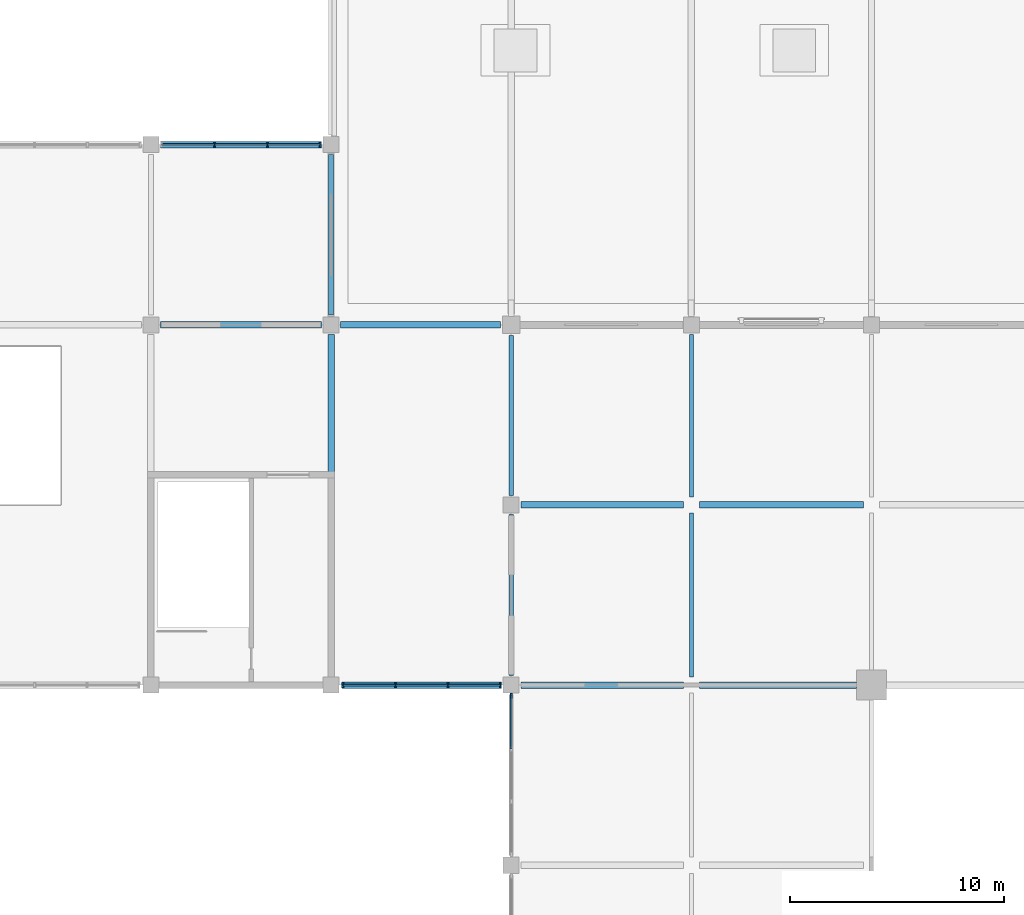
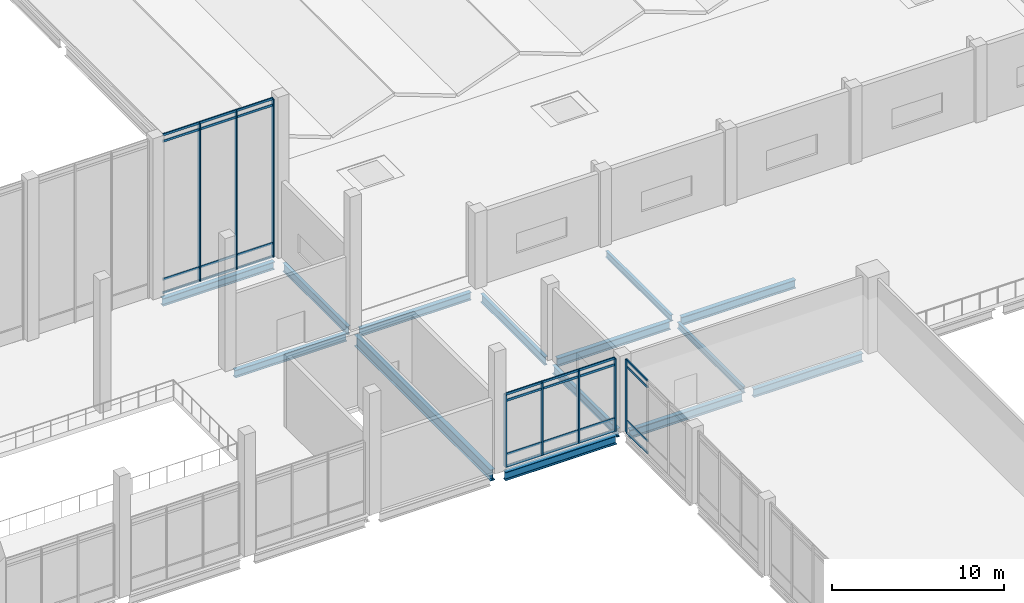
# One storey, part 30 of 72: 36 members, 14 beams, 3 elements without a shape of their own.
"""IFC4 building model written with IfcOpenShell, lengths in metres."""

from ifc_helpers import new_model, si_unit, direction, frame, origin, origin_2d, place, context, subcontext, project, spatial, rectangle, i_section, extrude, material, layer, layer_set, material_profile, profile_set, type_object, element, aggregate, save


model = new_model("IFC4")

# Units and contexts
model_context = context("Model", 3, precision=1e-05, world=origin(), true_north=direction((0.0, 1.0)))
body_context = subcontext(model_context, "Body", "Model", "MODEL_VIEW")
ifc_project = project(units=[si_unit("LENGTHUNIT", "METRE"), si_unit("AREAUNIT", "SQUARE_METRE"), si_unit("VOLUMEUNIT", "CUBIC_METRE"), si_unit("PLANEANGLEUNIT", "RADIAN"), si_unit("MASSUNIT", "GRAM", prefix="KILO")], contexts=[model_context])

# Site, building, storey
site_placement = place(None, origin())
site = spatial("IfcSite", under=ifc_project, at=site_placement, CompositionType="ELEMENT")
building_placement = place(site_placement, origin())
building = spatial("IfcBuilding", under=site, at=building_placement, Name="Qawsi Khor Wholesale Market", CompositionType="ELEMENT")
storey_placement = place(building_placement, frame((0.0, 0.0, 6.0)))
storey = spatial("IfcBuildingStorey", under=building, at=storey_placement, Name="L01", CompositionType="ELEMENT", Elevation=6.0)

# Curtain wall, member
ifc_material_1 = material(Name="Aluminium Anodised Bronze", Category="aluminium")
ifc_layer_1 = layer(ifc_material_1, 0.199951171875, Name="Aluminium Anodised Bronze")
ifc_layer_set_1 = layer_set([ifc_layer_1], Name="Aluminium Anodised Bronze")
curtain_wall_type_1 = type_object("IfcCurtainWallType", Name="Trading Hall North-Light Curtain Wall CW-03", PredefinedType="NOTDEFINED", material=ifc_layer_set_1)
curtain_wall_1_placement = place(storey_placement, origin())
curtain_wall_1 = element("IfcCurtainWall", 1, at=curtain_wall_1_placement, inside=storey, type_object=curtain_wall_type_1, Name="Curtain wall CW-CW-03-L01-096", PredefinedType="NOTDEFINED")
ifc_material_profile_1 = material_profile(ifc_material_1, rectangle(XDim=0.074951171875, YDim=0.219970703125, at=origin_2d()), Name="ALU MULLION 75x220")
ifc_profile_set_1 = profile_set([ifc_material_profile_1], Name="Aluminium Anodised Bronze")
member_type_1 = type_object("IfcMemberType", Name="Curtain Wall Mullion CW-03 ALU MULLION 75x220", PredefinedType="MULLION", material=ifc_profile_set_1)
member_1_placement = place(storey_placement, frame((142.800048828125, 91.902587890625, -0.02001953125), z_axis=(0.0, 0.0, 1.0), x_axis=(1.0, 0.0, 0.0)))
member_1 = element("IfcMember", 2, at=member_1_placement, type_object=member_type_1, Name="Mullion CW-CW-03-L01-096-M03", PredefinedType="MULLION", context=body_context, shape_type="SweptSolid", body=[
    extrude(rectangle(XDim=0.074951171875, YDim=0.219970703125, at=origin_2d()), origin(), (0.0, 0.0, 1.0), 5.14990234375),
])

# Curtain wall, members
ifc_layer_2 = layer(ifc_material_1, 0.219970703125, Name="Aluminium Anodised Bronze")
ifc_layer_set_2 = layer_set([ifc_layer_2], Name="Aluminium Anodised Bronze")
curtain_wall_type_2 = type_object("IfcCurtainWallType", Name="Auction Clerestory Curtain Wall CW-04", PredefinedType="NOTDEFINED", material=ifc_layer_set_2)
curtain_wall_2_placement = place(storey_placement, origin())
curtain_wall_2 = element("IfcCurtainWall", 3, at=curtain_wall_2_placement, inside=storey, type_object=curtain_wall_type_2, Name="Curtain wall CW-CW-04-L01-114", PredefinedType="NOTDEFINED")
ifc_material_profile_2 = material_profile(ifc_material_1, rectangle(XDim=0.080078125, YDim=0.239990234375, at=origin_2d()), Name="ALU MULLION 80x240")
ifc_profile_set_2 = profile_set([ifc_material_profile_2], Name="Aluminium Anodised Bronze")
member_type_2 = type_object("IfcMemberType", Name="Curtain Wall Mullion CW-04 ALU MULLION 80x240", PredefinedType="MULLION", material=ifc_profile_set_2)
member_2_placement = place(storey_placement, frame((128.966796875, 117.60009765625, -0.02001953125), z_axis=(0.0, 0.0, 1.0), x_axis=(1.0, 0.0, 0.0)))
member_2 = element("IfcMember", 4, at=member_2_placement, type_object=member_type_2, Name="Mullion CW-CW-04-L01-114-M01", PredefinedType="MULLION", context=body_context, shape_type="SweptSolid", body=[
    extrude(rectangle(XDim=0.080078125, YDim=0.239990234375, at=origin_2d()), origin(), (0.0, 0.0, 1.0), 11.219970703125),
])
member_3_placement = place(storey_placement, frame((131.433349609375, 117.60009765625, -0.02001953125), z_axis=(0.0, 0.0, 1.0), x_axis=(1.0, 0.0, 0.0)))
member_3 = element("IfcMember", 5, at=member_3_placement, type_object=member_type_2, Name="Mullion CW-CW-04-L01-114-M02", PredefinedType="MULLION", context=body_context, shape_type="SweptSolid", body=[
    extrude(rectangle(XDim=0.080078125, YDim=0.239990234375, at=origin_2d()), origin(), (0.0, 0.0, 1.0), 11.219970703125),
])
member_4_placement = place(storey_placement, frame((133.89990234375, 117.60009765625, -0.02001953125), z_axis=(0.0, 0.0, 1.0), x_axis=(1.0, 0.0, 0.0)))
member_4 = element("IfcMember", 6, at=member_4_placement, type_object=member_type_2, Name="Mullion CW-CW-04-L01-114-M03", PredefinedType="MULLION", context=body_context, shape_type="SweptSolid", body=[
    extrude(rectangle(XDim=0.080078125, YDim=0.239990234375, at=origin_2d()), origin(), (0.0, 0.0, 1.0), 11.219970703125),
])

curtain_wall_3_placement = place(storey_placement, origin())
curtain_wall_3 = element("IfcCurtainWall", 7, at=curtain_wall_3_placement, inside=storey, type_object=curtain_wall_type_2, Name="Curtain wall CW-CW-04-L01-116", PredefinedType="NOTDEFINED")
member_5_placement = place(storey_placement, frame((134.949951171875, 92.39990234375, -0.02001953125), z_axis=(0.0, 0.0, 1.0), x_axis=(1.0, 0.0, 0.0)))
member_5 = element("IfcMember", 8, at=member_5_placement, type_object=member_type_2, Name="Mullion CW-CW-04-L01-116-M00", PredefinedType="MULLION", context=body_context, shape_type="SweptSolid", body=[
    extrude(rectangle(XDim=0.080078125, YDim=0.239990234375, at=origin_2d()), origin(), (0.0, 0.0, 1.0), 5.14013671875),
])
member_6_placement = place(storey_placement, frame((137.39990234375, 92.39990234375, -0.02001953125), z_axis=(0.0, 0.0, 1.0), x_axis=(1.0, 0.0, 0.0)))
member_6 = element("IfcMember", 9, at=member_6_placement, type_object=member_type_2, Name="Mullion CW-CW-04-L01-116-M01", PredefinedType="MULLION", context=body_context, shape_type="SweptSolid", body=[
    extrude(rectangle(XDim=0.080078125, YDim=0.239990234375, at=origin_2d()), origin(), (0.0, 0.0, 1.0), 5.14013671875),
])
member_7_placement = place(storey_placement, frame((139.85009765625, 92.39990234375, -0.02001953125), z_axis=(0.0, 0.0, 1.0), x_axis=(1.0, 0.0, 0.0)))
member_7 = element("IfcMember", 10, at=member_7_placement, type_object=member_type_2, Name="Mullion CW-CW-04-L01-116-M02", PredefinedType="MULLION", context=body_context, shape_type="SweptSolid", body=[
    extrude(rectangle(XDim=0.080078125, YDim=0.239990234375, at=origin_2d()), origin(), (0.0, 0.0, 1.0), 5.14013671875),
])
member_8_placement = place(storey_placement, frame((142.300048828125, 92.39990234375, -0.02001953125), z_axis=(0.0, 0.0, 1.0), x_axis=(1.0, 0.0, 0.0)))
member_8 = element("IfcMember", 11, at=member_8_placement, type_object=member_type_2, Name="Mullion CW-CW-04-L01-116-M03", PredefinedType="MULLION", context=body_context, shape_type="SweptSolid", body=[
    extrude(rectangle(XDim=0.080078125, YDim=0.239990234375, at=origin_2d()), origin(), (0.0, 0.0, 1.0), 5.14013671875),
])

# Member
ifc_material_profile_3 = material_profile(ifc_material_1, rectangle(XDim=0.070068359375, YDim=0.14990234375, at=origin_2d()), Name="ALU TRANSOM 70x150")
ifc_profile_set_3 = profile_set([ifc_material_profile_3], Name="Aluminium Anodised Bronze")
member_type_3 = type_object("IfcMemberType", Name="Curtain Wall Transom CW-03 ALU TRANSOM 70x150", PredefinedType="USERDEFINED", material=ifc_profile_set_3)
member_9_placement = place(storey_placement, frame((142.800048828125, 89.43408203125, 0.0), z_axis=(0.0, 1.0, 0.0), x_axis=(-1.0, 0.0, 0.0)))
member_9 = element("IfcMember", 12, at=member_9_placement, type_object=member_type_3, Name="Transom CW-CW-03-L01-096-T0_02", ObjectType="TRANSOM", PredefinedType="USERDEFINED", context=body_context, shape_type="SweptSolid", body=[
    extrude(rectangle(XDim=0.070068359375, YDim=0.14990234375, at=origin_2d()), origin(), (0.0, 0.0, 1.0), 2.468505859375),
])

member_10_placement = place(storey_placement, frame((142.800048828125, 89.43408203125, 0.85009765625), z_axis=(0.0, 1.0, 0.0), x_axis=(-1.0, 0.0, 0.0)))
member_10 = element("IfcMember", 13, at=member_10_placement, type_object=member_type_3, Name="Transom CW-CW-03-L01-096-T1_02", ObjectType="TRANSOM", PredefinedType="USERDEFINED", context=body_context, shape_type="SweptSolid", body=[
    extrude(rectangle(XDim=0.070068359375, YDim=0.14990234375, at=origin_2d()), origin(), (0.0, 0.0, 1.0), 2.468505859375),
])

member_11_placement = place(storey_placement, frame((142.800048828125, 89.43408203125, 4.679931640625), z_axis=(0.0, 1.0, 0.0), x_axis=(-1.0, 0.0, 0.0)))
member_11 = element("IfcMember", 14, at=member_11_placement, type_object=member_type_3, Name="Transom CW-CW-03-L01-096-T2_02", ObjectType="TRANSOM", PredefinedType="USERDEFINED", context=body_context, shape_type="SweptSolid", body=[
    extrude(rectangle(XDim=0.070068359375, YDim=0.14990234375, at=origin_2d()), origin(), (0.0, 0.0, 1.0), 2.468505859375),
])

member_12_placement = place(storey_placement, frame((142.800048828125, 89.43408203125, 5.1298828125), z_axis=(0.0, 1.0, 0.0), x_axis=(-1.0, 0.0, 0.0)))
member_12 = element("IfcMember", 15, at=member_12_placement, type_object=member_type_3, Name="Transom CW-CW-03-L01-096-T3_02", ObjectType="TRANSOM", PredefinedType="USERDEFINED", context=body_context, shape_type="SweptSolid", body=[
    extrude(rectangle(XDim=0.070068359375, YDim=0.14990234375, at=origin_2d()), origin(), (0.0, 0.0, 1.0), 2.468505859375),
])

aggregate(curtain_wall_1, [member_1, member_9, member_10, member_11, member_12])

ifc_material_profile_4 = material_profile(ifc_material_1, rectangle(XDim=0.074951171875, YDim=0.159912109375, at=origin_2d()), Name="ALU TRANSOM 75x160")
ifc_profile_set_4 = profile_set([ifc_material_profile_4], Name="Aluminium Anodised Bronze")
member_type_4 = type_object("IfcMemberType", Name="Curtain Wall Transom CW-04 ALU TRANSOM 75x160", PredefinedType="USERDEFINED", material=ifc_profile_set_4)
member_13_placement = place(storey_placement, frame((126.5, 117.60009765625, 0.0), z_axis=(1.0, 0.0, 0.0), x_axis=(0.0, 1.0, 0.0)))
member_13 = element("IfcMember", 16, at=member_13_placement, type_object=member_type_4, Name="Transom CW-CW-04-L01-114-T0_00", ObjectType="TRANSOM", PredefinedType="USERDEFINED", context=body_context, shape_type="SweptSolid", body=[
    extrude(rectangle(XDim=0.074951171875, YDim=0.159912109375, at=origin_2d()), origin(), (0.0, 0.0, 1.0), 2.466796875),
])

member_14_placement = place(storey_placement, frame((128.966796875, 117.60009765625, 0.0), z_axis=(1.0, 0.0, 0.0), x_axis=(0.0, 1.0, 0.0)))
member_14 = element("IfcMember", 17, at=member_14_placement, type_object=member_type_4, Name="Transom CW-CW-04-L01-114-T0_01", ObjectType="TRANSOM", PredefinedType="USERDEFINED", context=body_context, shape_type="SweptSolid", body=[
    extrude(rectangle(XDim=0.074951171875, YDim=0.159912109375, at=origin_2d()), origin(), (0.0, 0.0, 1.0), 2.466552734375),
])

member_15_placement = place(storey_placement, frame((131.433349609375, 117.60009765625, 0.0), z_axis=(1.0, 0.0, 0.0), x_axis=(0.0, 1.0, 0.0)))
member_15 = element("IfcMember", 18, at=member_15_placement, type_object=member_type_4, Name="Transom CW-CW-04-L01-114-T0_02", ObjectType="TRANSOM", PredefinedType="USERDEFINED", context=body_context, shape_type="SweptSolid", body=[
    extrude(rectangle(XDim=0.074951171875, YDim=0.159912109375, at=origin_2d()), origin(), (0.0, 0.0, 1.0), 2.466552734375),
])

member_16_placement = place(storey_placement, frame((126.5, 117.60009765625, 0.949951171875), z_axis=(1.0, 0.0, 0.0), x_axis=(0.0, 1.0, 0.0)))
member_16 = element("IfcMember", 19, at=member_16_placement, type_object=member_type_4, Name="Transom CW-CW-04-L01-114-T1_00", ObjectType="TRANSOM", PredefinedType="USERDEFINED", context=body_context, shape_type="SweptSolid", body=[
    extrude(rectangle(XDim=0.074951171875, YDim=0.159912109375, at=origin_2d()), origin(), (0.0, 0.0, 1.0), 2.466796875),
])

member_17_placement = place(storey_placement, frame((128.966796875, 117.60009765625, 0.949951171875), z_axis=(1.0, 0.0, 0.0), x_axis=(0.0, 1.0, 0.0)))
member_17 = element("IfcMember", 20, at=member_17_placement, type_object=member_type_4, Name="Transom CW-CW-04-L01-114-T1_01", ObjectType="TRANSOM", PredefinedType="USERDEFINED", context=body_context, shape_type="SweptSolid", body=[
    extrude(rectangle(XDim=0.074951171875, YDim=0.159912109375, at=origin_2d()), origin(), (0.0, 0.0, 1.0), 2.466552734375),
])

member_18_placement = place(storey_placement, frame((131.433349609375, 117.60009765625, 0.949951171875), z_axis=(1.0, 0.0, 0.0), x_axis=(0.0, 1.0, 0.0)))
member_18 = element("IfcMember", 21, at=member_18_placement, type_object=member_type_4, Name="Transom CW-CW-04-L01-114-T1_02", ObjectType="TRANSOM", PredefinedType="USERDEFINED", context=body_context, shape_type="SweptSolid", body=[
    extrude(rectangle(XDim=0.074951171875, YDim=0.159912109375, at=origin_2d()), origin(), (0.0, 0.0, 1.0), 2.466552734375),
])

member_19_placement = place(storey_placement, frame((126.5, 117.60009765625, 10.75), z_axis=(1.0, 0.0, 0.0), x_axis=(0.0, 1.0, 0.0)))
member_19 = element("IfcMember", 22, at=member_19_placement, type_object=member_type_4, Name="Transom CW-CW-04-L01-114-T2_00", ObjectType="TRANSOM", PredefinedType="USERDEFINED", context=body_context, shape_type="SweptSolid", body=[
    extrude(rectangle(XDim=0.074951171875, YDim=0.159912109375, at=origin_2d()), origin(), (0.0, 0.0, 1.0), 2.466796875),
])

member_20_placement = place(storey_placement, frame((128.966796875, 117.60009765625, 10.75), z_axis=(1.0, 0.0, 0.0), x_axis=(0.0, 1.0, 0.0)))
member_20 = element("IfcMember", 23, at=member_20_placement, type_object=member_type_4, Name="Transom CW-CW-04-L01-114-T2_01", ObjectType="TRANSOM", PredefinedType="USERDEFINED", context=body_context, shape_type="SweptSolid", body=[
    extrude(rectangle(XDim=0.074951171875, YDim=0.159912109375, at=origin_2d()), origin(), (0.0, 0.0, 1.0), 2.466552734375),
])

member_21_placement = place(storey_placement, frame((131.433349609375, 117.60009765625, 10.75), z_axis=(1.0, 0.0, 0.0), x_axis=(0.0, 1.0, 0.0)))
member_21 = element("IfcMember", 24, at=member_21_placement, type_object=member_type_4, Name="Transom CW-CW-04-L01-114-T2_02", ObjectType="TRANSOM", PredefinedType="USERDEFINED", context=body_context, shape_type="SweptSolid", body=[
    extrude(rectangle(XDim=0.074951171875, YDim=0.159912109375, at=origin_2d()), origin(), (0.0, 0.0, 1.0), 2.466552734375),
])

member_22_placement = place(storey_placement, frame((126.5, 117.60009765625, 11.199951171875), z_axis=(1.0, 0.0, 0.0), x_axis=(0.0, 1.0, 0.0)))
member_22 = element("IfcMember", 25, at=member_22_placement, type_object=member_type_4, Name="Transom CW-CW-04-L01-114-T3_00", ObjectType="TRANSOM", PredefinedType="USERDEFINED", context=body_context, shape_type="SweptSolid", body=[
    extrude(rectangle(XDim=0.074951171875, YDim=0.159912109375, at=origin_2d()), origin(), (0.0, 0.0, 1.0), 2.466796875),
])

member_23_placement = place(storey_placement, frame((128.966796875, 117.60009765625, 11.199951171875), z_axis=(1.0, 0.0, 0.0), x_axis=(0.0, 1.0, 0.0)))
member_23 = element("IfcMember", 26, at=member_23_placement, type_object=member_type_4, Name="Transom CW-CW-04-L01-114-T3_01", ObjectType="TRANSOM", PredefinedType="USERDEFINED", context=body_context, shape_type="SweptSolid", body=[
    extrude(rectangle(XDim=0.074951171875, YDim=0.159912109375, at=origin_2d()), origin(), (0.0, 0.0, 1.0), 2.466552734375),
])

member_24_placement = place(storey_placement, frame((131.433349609375, 117.60009765625, 11.199951171875), z_axis=(1.0, 0.0, 0.0), x_axis=(0.0, 1.0, 0.0)))
member_24 = element("IfcMember", 27, at=member_24_placement, type_object=member_type_4, Name="Transom CW-CW-04-L01-114-T3_02", ObjectType="TRANSOM", PredefinedType="USERDEFINED", context=body_context, shape_type="SweptSolid", body=[
    extrude(rectangle(XDim=0.074951171875, YDim=0.159912109375, at=origin_2d()), origin(), (0.0, 0.0, 1.0), 2.466552734375),
])

aggregate(curtain_wall_2, [member_2, member_3, member_4, member_13, member_14, member_15, member_16, member_17, member_18, member_19, member_20, member_21, member_22, member_23, member_24])

member_25_placement = place(storey_placement, frame((134.949951171875, 92.39990234375, 0.0), z_axis=(1.0, 0.0, 0.0), x_axis=(0.0, 1.0, 0.0)))
member_25 = element("IfcMember", 28, at=member_25_placement, type_object=member_type_4, Name="Transom CW-CW-04-L01-116-T0_00", ObjectType="TRANSOM", PredefinedType="USERDEFINED", context=body_context, shape_type="SweptSolid", body=[
    extrude(rectangle(XDim=0.074951171875, YDim=0.159912109375, at=origin_2d()), origin(), (0.0, 0.0, 1.0), 2.449951171875),
])

member_26_placement = place(storey_placement, frame((137.39990234375, 92.39990234375, 0.0), z_axis=(1.0, 0.0, 0.0), x_axis=(0.0, 1.0, 0.0)))
member_26 = element("IfcMember", 29, at=member_26_placement, type_object=member_type_4, Name="Transom CW-CW-04-L01-116-T0_01", ObjectType="TRANSOM", PredefinedType="USERDEFINED", context=body_context, shape_type="SweptSolid", body=[
    extrude(rectangle(XDim=0.074951171875, YDim=0.159912109375, at=origin_2d()), origin(), (0.0, 0.0, 1.0), 2.4501953125),
])

member_27_placement = place(storey_placement, frame((139.85009765625, 92.39990234375, 0.0), z_axis=(1.0, 0.0, 0.0), x_axis=(0.0, 1.0, 0.0)))
member_27 = element("IfcMember", 30, at=member_27_placement, type_object=member_type_4, Name="Transom CW-CW-04-L01-116-T0_02", ObjectType="TRANSOM", PredefinedType="USERDEFINED", context=body_context, shape_type="SweptSolid", body=[
    extrude(rectangle(XDim=0.074951171875, YDim=0.159912109375, at=origin_2d()), origin(), (0.0, 0.0, 1.0), 2.449951171875),
])

member_28_placement = place(storey_placement, frame((134.949951171875, 92.39990234375, 0.85009765625), z_axis=(1.0, 0.0, 0.0), x_axis=(0.0, 1.0, 0.0)))
member_28 = element("IfcMember", 31, at=member_28_placement, type_object=member_type_4, Name="Transom CW-CW-04-L01-116-T1_00", ObjectType="TRANSOM", PredefinedType="USERDEFINED", context=body_context, shape_type="SweptSolid", body=[
    extrude(rectangle(XDim=0.074951171875, YDim=0.159912109375, at=origin_2d()), origin(), (0.0, 0.0, 1.0), 2.449951171875),
])

member_29_placement = place(storey_placement, frame((137.39990234375, 92.39990234375, 0.85009765625), z_axis=(1.0, 0.0, 0.0), x_axis=(0.0, 1.0, 0.0)))
member_29 = element("IfcMember", 32, at=member_29_placement, type_object=member_type_4, Name="Transom CW-CW-04-L01-116-T1_01", ObjectType="TRANSOM", PredefinedType="USERDEFINED", context=body_context, shape_type="SweptSolid", body=[
    extrude(rectangle(XDim=0.074951171875, YDim=0.159912109375, at=origin_2d()), origin(), (0.0, 0.0, 1.0), 2.4501953125),
])

member_30_placement = place(storey_placement, frame((139.85009765625, 92.39990234375, 0.85009765625), z_axis=(1.0, 0.0, 0.0), x_axis=(0.0, 1.0, 0.0)))
member_30 = element("IfcMember", 33, at=member_30_placement, type_object=member_type_4, Name="Transom CW-CW-04-L01-116-T1_02", ObjectType="TRANSOM", PredefinedType="USERDEFINED", context=body_context, shape_type="SweptSolid", body=[
    extrude(rectangle(XDim=0.074951171875, YDim=0.159912109375, at=origin_2d()), origin(), (0.0, 0.0, 1.0), 2.449951171875),
])

member_31_placement = place(storey_placement, frame((134.949951171875, 92.39990234375, 4.669921875), z_axis=(1.0, 0.0, 0.0), x_axis=(0.0, 1.0, 0.0)))
member_31 = element("IfcMember", 34, at=member_31_placement, type_object=member_type_4, Name="Transom CW-CW-04-L01-116-T2_00", ObjectType="TRANSOM", PredefinedType="USERDEFINED", context=body_context, shape_type="SweptSolid", body=[
    extrude(rectangle(XDim=0.074951171875, YDim=0.159912109375, at=origin_2d()), origin(), (0.0, 0.0, 1.0), 2.449951171875),
])

member_32_placement = place(storey_placement, frame((137.39990234375, 92.39990234375, 4.669921875), z_axis=(1.0, 0.0, 0.0), x_axis=(0.0, 1.0, 0.0)))
member_32 = element("IfcMember", 35, at=member_32_placement, type_object=member_type_4, Name="Transom CW-CW-04-L01-116-T2_01", ObjectType="TRANSOM", PredefinedType="USERDEFINED", context=body_context, shape_type="SweptSolid", body=[
    extrude(rectangle(XDim=0.074951171875, YDim=0.159912109375, at=origin_2d()), origin(), (0.0, 0.0, 1.0), 2.4501953125),
])

member_33_placement = place(storey_placement, frame((139.85009765625, 92.39990234375, 4.669921875), z_axis=(1.0, 0.0, 0.0), x_axis=(0.0, 1.0, 0.0)))
member_33 = element("IfcMember", 36, at=member_33_placement, type_object=member_type_4, Name="Transom CW-CW-04-L01-116-T2_02", ObjectType="TRANSOM", PredefinedType="USERDEFINED", context=body_context, shape_type="SweptSolid", body=[
    extrude(rectangle(XDim=0.074951171875, YDim=0.159912109375, at=origin_2d()), origin(), (0.0, 0.0, 1.0), 2.449951171875),
])

member_34_placement = place(storey_placement, frame((134.949951171875, 92.39990234375, 5.1201171875), z_axis=(1.0, 0.0, 0.0), x_axis=(0.0, 1.0, 0.0)))
member_34 = element("IfcMember", 37, at=member_34_placement, type_object=member_type_4, Name="Transom CW-CW-04-L01-116-T3_00", ObjectType="TRANSOM", PredefinedType="USERDEFINED", context=body_context, shape_type="SweptSolid", body=[
    extrude(rectangle(XDim=0.074951171875, YDim=0.159912109375, at=origin_2d()), origin(), (0.0, 0.0, 1.0), 2.449951171875),
])

member_35_placement = place(storey_placement, frame((137.39990234375, 92.39990234375, 5.1201171875), z_axis=(1.0, 0.0, 0.0), x_axis=(0.0, 1.0, 0.0)))
member_35 = element("IfcMember", 38, at=member_35_placement, type_object=member_type_4, Name="Transom CW-CW-04-L01-116-T3_01", ObjectType="TRANSOM", PredefinedType="USERDEFINED", context=body_context, shape_type="SweptSolid", body=[
    extrude(rectangle(XDim=0.074951171875, YDim=0.159912109375, at=origin_2d()), origin(), (0.0, 0.0, 1.0), 2.4501953125),
])

member_36_placement = place(storey_placement, frame((139.85009765625, 92.39990234375, 5.1201171875), z_axis=(1.0, 0.0, 0.0), x_axis=(0.0, 1.0, 0.0)))
member_36 = element("IfcMember", 39, at=member_36_placement, type_object=member_type_4, Name="Transom CW-CW-04-L01-116-T3_02", ObjectType="TRANSOM", PredefinedType="USERDEFINED", context=body_context, shape_type="SweptSolid", body=[
    extrude(rectangle(XDim=0.074951171875, YDim=0.159912109375, at=origin_2d()), origin(), (0.0, 0.0, 1.0), 2.449951171875),
])

aggregate(curtain_wall_3, [member_5, member_6, member_7, member_8, member_25, member_26, member_27, member_28, member_29, member_30, member_31, member_32, member_33, member_34, member_35, member_36])

# Beams
ifc_material_2 = material(Name="Steel S355", Category="steel")
ifc_material_profile_5 = material_profile(ifc_material_2, i_section(OverallWidth=0.300048828125, OverallDepth=0.60009765625, WebThickness=0.015380859375, FlangeThickness=0.030029296875, FilletRadius=0.027099609375, at=origin_2d()), Name="HEB 600")
ifc_profile_set_5 = profile_set([ifc_material_profile_5], Name="Steel S355")
beam_type_1 = type_object("IfcBeamType", Name="Heavy Edge Girder HEB 600", PredefinedType="BEAM", material=ifc_profile_set_5)
beam_1_placement = place(storey_placement, frame((134.89990234375, 92.39990234375, -0.6298828125), z_axis=(1.0, 0.0, 0.0), x_axis=(0.0, 1.0, 0.0)))
element("IfcBeam", 40, at=beam_1_placement, inside=storey, type_object=beam_type_1, Name="BM-X-L01-16_+11", PredefinedType="BEAM", context=body_context, shape_type="SweptSolid", body=[
    extrude(i_section(OverallWidth=0.300048828125, OverallDepth=0.60009765625, WebThickness=0.015380859375, FlangeThickness=0.030029296875, FilletRadius=0.027099609375, at=origin_2d()), origin(), (0.0, 0.0, 1.0), 7.4501953125),
])
beam_2_placement = place(storey_placement, frame((143.25, 92.39990234375, -0.570068359375), z_axis=(1.0, 0.0, 0.0), x_axis=(0.0, 1.0, 0.0)))
element("IfcBeam", 41, at=beam_2_placement, inside=storey, type_object=beam_type_1, Name="BM-X-L01-17_+11", PredefinedType="BEAM", context=body_context, shape_type="SweptSolid", body=[
    extrude(i_section(OverallWidth=0.300048828125, OverallDepth=0.60009765625, WebThickness=0.015380859375, FlangeThickness=0.030029296875, FilletRadius=0.027099609375, at=origin_2d()), origin(), (0.0, 0.0, 1.0), 7.574951171875),
])
beam_3_placement = place(storey_placement, frame((151.574951171875, 92.39990234375, -0.570068359375), z_axis=(1.0, 0.0, 0.0), x_axis=(0.0, 1.0, 0.0)))
element("IfcBeam", 42, at=beam_3_placement, inside=storey, type_object=beam_type_1, Name="BM-X-L01-18_+11", PredefinedType="BEAM", context=body_context, shape_type="SweptSolid", body=[
    extrude(i_section(OverallWidth=0.300048828125, OverallDepth=0.60009765625, WebThickness=0.015380859375, FlangeThickness=0.030029296875, FilletRadius=0.027099609375, at=origin_2d()), origin(), (0.0, 0.0, 1.0), 7.324951171875),
])
ifc_material_profile_6 = material_profile(ifc_material_2, i_section(OverallWidth=0.300048828125, OverallDepth=0.5400390625, WebThickness=0.012451171875, FlangeThickness=0.02392578125, FilletRadius=0.027099609375, at=origin_2d()), Name="HEA 550")
ifc_profile_set_6 = profile_set([ifc_material_profile_6], Name="Steel S355")
beam_type_2 = type_object("IfcBeamType", Name="Primary Girder HEA 550", PredefinedType="BEAM", material=ifc_profile_set_6)
for number, where, z_axis, x_axis, name in (
    (43, (126.449951171875, 109.199951171875, -0.60009765625), (1.0, 0.0, 0.0), (0.0, 1.0, 0.0), "BM-X-L01-15_+13"),
    (44, (126.449951171875, 117.60009765625, -0.60009765625), (1.0, 0.0, 0.0), (0.0, 1.0, 0.0), "BM-X-L01-15_+14"),
):
    element("IfcBeam", number, at=place(storey_placement, frame(where, z_axis=z_axis, x_axis=x_axis)), inside=storey, type_object=beam_type_2, Name=name, PredefinedType="BEAM", context=body_context, shape_type="SweptSolid", body=[
        extrude(i_section(OverallWidth=0.300048828125, OverallDepth=0.5400390625, WebThickness=0.012451171875, FlangeThickness=0.02392578125, FilletRadius=0.027099609375, at=origin_2d()), origin(), (0.0, 0.0, 1.0), 7.5),
    ])
beam_4_placement = place(storey_placement, frame((134.85009765625, 109.199951171875, -0.60009765625), z_axis=(1.0, 0.0, 0.0), x_axis=(0.0, 1.0, 0.0)))
element("IfcBeam", 45, at=beam_4_placement, inside=storey, type_object=beam_type_2, Name="BM-X-L01-16_+13", PredefinedType="BEAM", context=body_context, shape_type="SweptSolid", body=[
    extrude(i_section(OverallWidth=0.300048828125, OverallDepth=0.5400390625, WebThickness=0.012451171875, FlangeThickness=0.02392578125, FilletRadius=0.027099609375, at=origin_2d()), origin(), (0.0, 0.0, 1.0), 7.449951171875),
])
ifc_material_profile_7 = material_profile(ifc_material_2, i_section(OverallWidth=0.300048828125, OverallDepth=0.590087890625, WebThickness=0.012939453125, FlangeThickness=0.02490234375, FilletRadius=0.027099609375, at=origin_2d()), Name="HEA 600")
ifc_profile_set_7 = profile_set([ifc_material_profile_7], Name="Steel S355")
beam_type_3 = type_object("IfcBeamType", Name="Primary Girder HEA 600", PredefinedType="BEAM", material=ifc_profile_set_7)
beam_5_placement = place(storey_placement, frame((143.25, 100.800048828125, -0.56494140625), z_axis=(1.0, 0.0, 0.0), x_axis=(0.0, 1.0, 0.0)))
element("IfcBeam", 46, at=beam_5_placement, inside=storey, type_object=beam_type_3, Name="BM-X-L01-17_+12", PredefinedType="BEAM", context=body_context, shape_type="SweptSolid", body=[
    extrude(i_section(OverallWidth=0.300048828125, OverallDepth=0.590087890625, WebThickness=0.012939453125, FlangeThickness=0.02490234375, FilletRadius=0.027099609375, at=origin_2d()), origin(), (0.0, 0.0, 1.0), 7.574951171875),
])
beam_6_placement = place(storey_placement, frame((151.574951171875, 100.800048828125, -0.56494140625), z_axis=(1.0, 0.0, 0.0), x_axis=(0.0, 1.0, 0.0)))
element("IfcBeam", 47, at=beam_6_placement, inside=storey, type_object=beam_type_3, Name="BM-X-L01-18_+12", PredefinedType="BEAM", context=body_context, shape_type="SweptSolid", body=[
    extrude(i_section(OverallWidth=0.300048828125, OverallDepth=0.590087890625, WebThickness=0.012939453125, FlangeThickness=0.02490234375, FilletRadius=0.027099609375, at=origin_2d()), origin(), (0.0, 0.0, 1.0), 7.650146484375),
])
ifc_material_profile_8 = material_profile(ifc_material_2, i_section(OverallWidth=0.300048828125, OverallDepth=0.7900390625, WebThickness=0.014892578125, FlangeThickness=0.028076171875, FilletRadius=0.030029296875, at=origin_2d()), Name="HEA 800")
ifc_profile_set_8 = profile_set([ifc_material_profile_8], Name="Steel S355")
beam_type_4 = type_object("IfcBeamType", Name="Primary Girder HEA 800", PredefinedType="BEAM", material=ifc_profile_set_8)
beam_7_placement = place(storey_placement, frame((134.39990234375, 92.89990234375, -0.72509765625), z_axis=(0.0, 1.0, 0.0), x_axis=(-1.0, 0.0, 0.0)))
element("IfcBeam", 48, at=beam_7_placement, inside=storey, type_object=beam_type_4, Name="BM-YL-L01-16_+11", PredefinedType="BEAM", context=body_context, shape_type="SweptSolid", body=[
    extrude(i_section(OverallWidth=0.300048828125, OverallDepth=0.7900390625, WebThickness=0.014892578125, FlangeThickness=0.028076171875, FilletRadius=0.030029296875, at=origin_2d()), origin(), (0.0, 0.0, 1.0), 15.85009765625),
])
ifc_material_profile_9 = material_profile(ifc_material_2, i_section(OverallWidth=0.18994140625, OverallDepth=0.449951171875, WebThickness=0.009521484375, FlangeThickness=0.0146484375, FilletRadius=0.02099609375, at=origin_2d()), Name="IPE 450")
ifc_profile_set_9 = profile_set([ifc_material_profile_9], Name="Steel S355")
beam_type_5 = type_object("IfcBeamType", Name="Secondary Beam IPE 450", PredefinedType="BEAM", material=ifc_profile_set_9)
beam_8_placement = place(storey_placement, frame((151.199951171875, 92.77490234375, -0.4951171875), z_axis=(0.0, 1.0, 0.0), x_axis=(-1.0, 0.0, 0.0)))
element("IfcBeam", 49, at=beam_8_placement, inside=storey, type_object=beam_type_5, Name="BM-Y-L01-18_+11", PredefinedType="BEAM", context=body_context, shape_type="SweptSolid", body=[
    extrude(i_section(OverallWidth=0.18994140625, OverallDepth=0.449951171875, WebThickness=0.009521484375, FlangeThickness=0.0146484375, FilletRadius=0.02099609375, at=origin_2d()), origin(), (0.0, 0.0, 1.0), 7.650146484375),
])
beam_9_placement = place(storey_placement, frame((151.199951171875, 101.175048828125, -0.4951171875), z_axis=(0.0, 1.0, 0.0), x_axis=(-1.0, 0.0, 0.0)))
element("IfcBeam", 50, at=beam_9_placement, inside=storey, type_object=beam_type_5, Name="BM-Y-L01-18_+12", PredefinedType="BEAM", context=body_context, shape_type="SweptSolid", body=[
    extrude(i_section(OverallWidth=0.18994140625, OverallDepth=0.449951171875, WebThickness=0.009521484375, FlangeThickness=0.0146484375, FilletRadius=0.02099609375, at=origin_2d()), origin(), (0.0, 0.0, 1.0), 7.574951171875),
])
ifc_material_profile_10 = material_profile(ifc_material_2, i_section(OverallWidth=0.219970703125, OverallDepth=0.60009765625, WebThickness=0.011962890625, FlangeThickness=0.01904296875, FilletRadius=0.02392578125, at=origin_2d()), Name="IPE 600")
ifc_profile_set_10 = profile_set([ifc_material_profile_10], Name="Steel S355")
beam_type_6 = type_object("IfcBeamType", Name="Secondary Beam IPE 600", PredefinedType="BEAM", material=ifc_profile_set_10)
for number, where, z_axis, x_axis, name in (
    (51, (134.39990234375, 109.64990234375, -0.6298828125), (0.0, 1.0, 0.0), (-1.0, 0.0, 0.0), "BM-Y-L01-16_+13"),
    (52, (142.800048828125, 92.85009765625, -0.6298828125), (0.0, 1.0, 0.0), (-1.0, 0.0, 0.0), "BM-Y-L01-17_+11"),
):
    element("IfcBeam", number, at=place(storey_placement, frame(where, z_axis=z_axis, x_axis=x_axis)), inside=storey, type_object=beam_type_6, Name=name, PredefinedType="BEAM", context=body_context, shape_type="SweptSolid", body=[
        extrude(i_section(OverallWidth=0.219970703125, OverallDepth=0.60009765625, WebThickness=0.011962890625, FlangeThickness=0.01904296875, FilletRadius=0.02392578125, at=origin_2d()), origin(), (0.0, 0.0, 1.0), 7.5),
    ])
beam_10_placement = place(storey_placement, frame((142.800048828125, 101.25, -0.6298828125), z_axis=(0.0, 1.0, 0.0), x_axis=(-1.0, 0.0, 0.0)))
element("IfcBeam", 53, at=beam_10_placement, inside=storey, type_object=beam_type_6, Name="BM-Y-L01-17_+12", PredefinedType="BEAM", context=body_context, shape_type="SweptSolid", body=[
    extrude(i_section(OverallWidth=0.219970703125, OverallDepth=0.60009765625, WebThickness=0.011962890625, FlangeThickness=0.01904296875, FilletRadius=0.02392578125, at=origin_2d()), origin(), (0.0, 0.0, 1.0), 7.449951171875),
])

save(model, "model.ifc")
